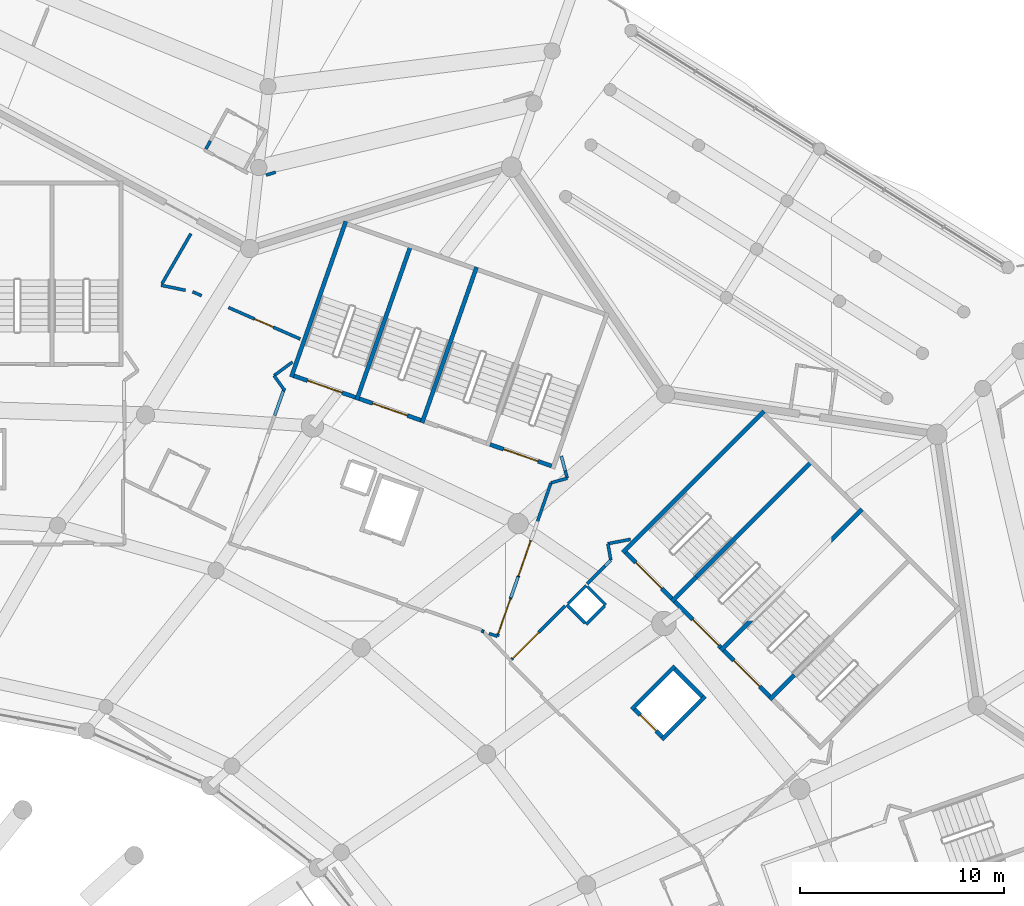
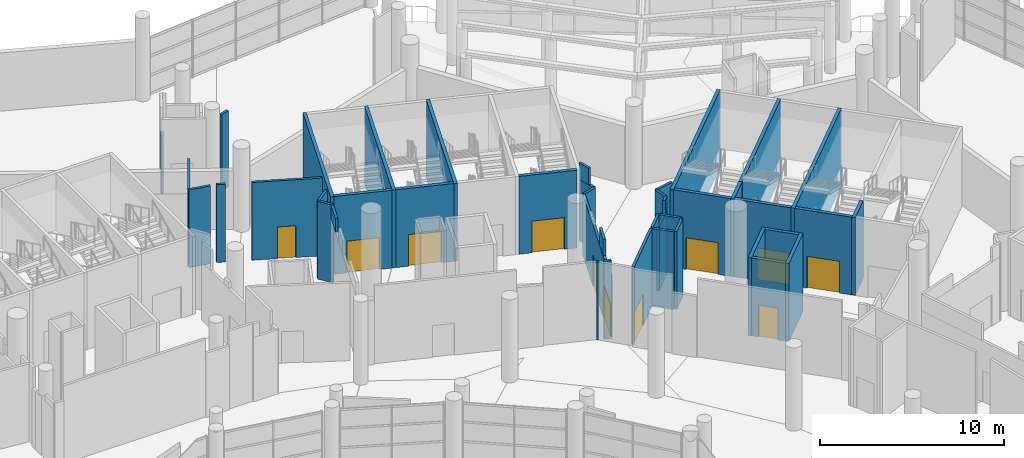
# One storey, part 198 of 271: 43 walls, 11 doors, 11 openings.
"""IFC4 building model written with IfcOpenShell, lengths in metres."""

from ifc_helpers import new_model, si_unit, direction, frame, frame_2d, origin, place, context, subcontext, project, spatial, rectangle, extrude, material, layer, layer_set, type_object, element, fill, save


model = new_model("IFC4")

# Units and contexts
model_context = context("Model", 3, precision=1e-05, world=origin(), true_north=direction((0.0, 1.0)))
body_context = subcontext(model_context, "Body", "Model", "MODEL_VIEW")
ifc_project = project(units=[si_unit("LENGTHUNIT", "METRE"), si_unit("AREAUNIT", "SQUARE_METRE"), si_unit("VOLUMEUNIT", "CUBIC_METRE"), si_unit("PLANEANGLEUNIT", "RADIAN"), si_unit("MASSUNIT", "GRAM", prefix="KILO")], contexts=[model_context])

# Site, building, storey
site_placement = place(None, origin())
site = spatial("IfcSite", under=ifc_project, at=site_placement, CompositionType="ELEMENT")
building_placement = place(site_placement, origin())
building = spatial("IfcBuilding", under=site, at=building_placement, Name="Meseta Stadium", CompositionType="ELEMENT")
storey_placement = place(building_placement, frame((0.0, 0.0, 6.5)))
storey = spatial("IfcBuildingStorey", under=building, at=storey_placement, Name="L01", CompositionType="ELEMENT", Elevation=6.5)

# Walls
ifc_material_1 = material(Name="Concrete C40/50", Category="concrete")
ifc_layer_1 = layer(ifc_material_1, 0.199951171875)
ifc_layer_set_1 = layer_set([ifc_layer_1], Name="Core divider wall 200")
wall_type_1 = type_object("IfcWallType", Name="Core divider wall 200", PredefinedType="SHEAR", material=ifc_layer_set_1)
wall_1_placement = place(storey_placement, frame((78.17333984375, 77.364990234375, 0.0), z_axis=(0.0, 0.0, 1.0), x_axis=(-0.707178586901, -0.707034968179, 0.0)))
element("IfcWall", 1, at=wall_1_placement, inside=storey, type_object=wall_type_1, Name="Core 07 L01 stair A divider wall", PredefinedType="SHEAR", context=body_context, shape_type="SweptSolid", body=[
    extrude(rectangle(XDim=1.699951171875, YDim=0.199951171875, at=frame_2d((0.85009765625, 0.0))), origin(), (0.0, 0.0, 1.0), 5.14990234375),
])
wall_2_placement = place(storey_placement, frame((79.092529296875, 87.90087890625, 0.0), z_axis=(0.0, 0.0, 1.0), x_axis=(-0.707106781187, -0.707106781187, 0.0)))
element("IfcWall", 2, at=wall_2_placement, inside=storey, type_object=wall_type_1, Name="Core 07 L01 stair B divider wall", PredefinedType="SHEAR", context=body_context, shape_type="SweptSolid", body=[
    extrude(rectangle(XDim=8.099853515625, YDim=0.199951171875, at=frame_2d((4.0498046875, 0.0))), origin(), (0.0, 0.0, 1.0), 5.14990234375),
])
wall_3_placement = place(storey_placement, frame((73.364990234375, 82.17333984375, 0.0), z_axis=(0.0, 0.0, 1.0), x_axis=(-0.707034968179, -0.707178586901, 0.0)))
element("IfcWall", 3, at=wall_3_placement, inside=storey, type_object=wall_type_1, Name="Core 07 L01 stair B divider wall", PredefinedType="SHEAR", context=body_context, shape_type="SweptSolid", body=[
    extrude(rectangle(XDim=1.699951171875, YDim=0.199951171875, at=frame_2d((0.85009765625, 0.0))), origin(), (0.0, 0.0, 1.0), 5.14990234375),
])
wall_4_placement = place(storey_placement, frame((59.370849609375, 98.505859375, 0.0), z_axis=(0.0, 0.0, 1.0), x_axis=(-0.330280610426, -0.943882788474, 0.0)))
element("IfcWall", 4, at=wall_4_placement, inside=storey, type_object=wall_type_1, Name="Core 08 L01 stair B divider wall", PredefinedType="SHEAR", context=body_context, shape_type="SweptSolid", body=[
    extrude(rectangle(XDim=8.10009765625, YDim=0.199951171875, at=frame_2d((4.050048828125, 0.0))), origin(), (0.0, 0.0, 1.0), 5.14990234375),
])
ifc_material_2 = material(Name="Concrete C40/50", Category="concrete")
ifc_layer_2 = layer(ifc_material_2, 0.199951171875)
ifc_layer_set_2 = layer_set([ifc_layer_2], Name="Core shaft wall 200")
wall_type_2 = type_object("IfcWallType", Name="Core shaft wall 200", PredefinedType="SHEAR", material=ifc_layer_set_2)
for number, where, z_axis, x_axis, name in (
    (5, (81.496826171875, 85.496826171875, 0.0), (0.0, 0.0, 1.0), (-0.707106781187, -0.707106781187, 0.0), "Core 07 L01 stair wall shared"),
    (6, (76.6884765625, 90.30517578125, 0.0), (0.0, 0.0, 1.0), (-0.707106781187, -0.707106781187, 0.0), "Core 07 L01 stair wall B-side"),
):
    element("IfcWall", number, at=place(storey_placement, frame(where, z_axis=z_axis, x_axis=x_axis)), inside=storey, type_object=wall_type_2, Name=name, PredefinedType="SHEAR", context=body_context, shape_type="SweptSolid", body=[
        extrude(rectangle(XDim=9.800048828125, YDim=0.199951171875, at=frame_2d((4.89990234375, 0.0))), origin(), (0.0, 0.0, 1.0), 5.14990234375),
    ])

# Wall, opening, door
wall_5_placement = place(storey_placement, frame((76.97119140625, 76.304443359375, 0.0), z_axis=(0.0, 0.0, 1.0), x_axis=(-0.707106781187, 0.707106781187, 0.0)))
wall_5 = element("IfcWall", 7, at=wall_5_placement, inside=storey, type_object=wall_type_2, Name="Core 07 L01 stair A2 inner end wall", PredefinedType="SHEAR", context=body_context, shape_type="SweptSolid", body=[
    extrude(rectangle(XDim=3.199951171875, YDim=0.199951171875, at=frame_2d((1.60009765625, 0.0))), origin(), (0.0, 0.0, 1.0), 5.14990234375),
])
opening_1_placement = place(wall_5_placement, frame((0.699951171875, 0.0, 0.0)))
opening_1 = element("IfcOpeningElement", 8, at=opening_1_placement, cuts=wall_5, Name="Opening D112", PredefinedType="OPENING", context=body_context, shape_type="SweptSolid", body=[
    extrude(rectangle(XDim=1.800048828125, YDim=2.10009765625, at=frame_2d((0.89990234375, 1.050048828125))), frame((0.0, 0.10986328125, 0.0), z_axis=(0.0, -1.0, 0.0), x_axis=(1.0, 0.0, 0.0)), (0.0, 0.0, 1.0), 0.219970703125),
])
ifc_material_3 = material(Name="Steel", Category="steel")
door_type_1 = type_object("IfcDoorType", Name="Stair door 1800x2100", OperationType="DOUBLE_DOOR_SINGLE_SWING", PredefinedType="DOOR", material=ifc_material_3)
door_1_placement = place(opening_1_placement, origin())
door_1 = element("IfcDoor", 9, at=door_1_placement, inside=storey, type_object=door_type_1, Name="Stair A2 door 07 L01", OperationType="DOUBLE_DOOR_SINGLE_SWING", OverallHeight=2.10009765625, OverallWidth=1.800048828125, PredefinedType="DOOR", context=body_context, shape_type="SweptSolid", body=[
    extrude(rectangle(XDim=1.800048828125, YDim=2.10009765625, at=frame_2d((0.89990234375, 1.050048828125))), frame((0.0, 0.02490234375, 0.0), z_axis=(0.0, -1.0, 0.0), x_axis=(1.0, 0.0, 0.0)), (0.0, 0.0, 1.0), 0.050048828125),
])
fill(opening_1, door_1)

wall_6_placement = place(storey_placement, frame((74.567138671875, 78.70849609375, 0.0), z_axis=(0.0, 0.0, 1.0), x_axis=(-0.707106781187, 0.707106781187, 0.0)))
wall_6 = element("IfcWall", 10, at=wall_6_placement, inside=storey, type_object=wall_type_2, Name="Core 07 L01 stair B1 inner end wall", PredefinedType="SHEAR", context=body_context, shape_type="SweptSolid", body=[
    extrude(rectangle(XDim=3.199951171875, YDim=0.199951171875, at=frame_2d((1.60009765625, 0.0))), origin(), (0.0, 0.0, 1.0), 5.14990234375),
])
opening_2_placement = place(wall_6_placement, frame((0.14990234375, 0.0, 0.0)))
opening_2 = element("IfcOpeningElement", 11, at=opening_2_placement, cuts=wall_6, Name="Opening D113", PredefinedType="OPENING", context=body_context, shape_type="SweptSolid", body=[
    extrude(rectangle(XDim=1.800048828125, YDim=2.10009765625, at=frame_2d((0.89990234375, 1.050048828125))), frame((0.0, 0.10986328125, 0.0), z_axis=(0.0, -1.0, 0.0), x_axis=(1.0, 0.0, 0.0)), (0.0, 0.0, 1.0), 0.219970703125),
])
door_2_placement = place(opening_2_placement, origin())
door_2 = element("IfcDoor", 12, at=door_2_placement, inside=storey, type_object=door_type_1, Name="Stair B1 door 07 L01", OperationType="DOUBLE_DOOR_SINGLE_SWING", OverallHeight=2.10009765625, OverallWidth=1.800048828125, PredefinedType="DOOR", context=body_context, shape_type="SweptSolid", body=[
    extrude(rectangle(XDim=1.800048828125, YDim=2.10009765625, at=frame_2d((0.89990234375, 1.050048828125))), frame((0.0, 0.02490234375, 0.0), z_axis=(0.0, -1.0, 0.0), x_axis=(1.0, 0.0, 0.0)), (0.0, 0.0, 1.0), 0.050048828125),
])
fill(opening_2, door_2)

wall_7_placement = place(storey_placement, frame((72.1630859375, 81.11279296875, 0.0), z_axis=(0.0, 0.0, 1.0), x_axis=(-0.707144925854, 0.707068634461, 0.0)))
wall_7 = element("IfcWall", 13, at=wall_7_placement, inside=storey, type_object=wall_type_2, Name="Core 07 L01 stair B2 inner end wall", PredefinedType="SHEAR", context=body_context, shape_type="SweptSolid", body=[
    extrude(rectangle(XDim=3.2001953125, YDim=0.199951171875, at=frame_2d((1.60009765625, 0.0))), origin(), (0.0, 0.0, 1.0), 5.14990234375),
])
opening_3_placement = place(wall_7_placement, frame((0.699951171875, 0.0, 0.0)))
opening_3 = element("IfcOpeningElement", 14, at=opening_3_placement, cuts=wall_7, Name="Opening D114", PredefinedType="OPENING", context=body_context, shape_type="SweptSolid", body=[
    extrude(rectangle(XDim=1.800048828125, YDim=2.10009765625, at=frame_2d((0.89990234375, 1.050048828125))), frame((0.0, 0.10986328125, 0.0), z_axis=(0.0, -1.0, 0.0), x_axis=(1.0, 0.0, 0.0)), (0.0, 0.0, 1.0), 0.219970703125),
])
door_3_placement = place(opening_3_placement, origin())
door_3 = element("IfcDoor", 15, at=door_3_placement, inside=storey, type_object=door_type_1, Name="Stair B2 door 07 L01", OperationType="DOUBLE_DOOR_SINGLE_SWING", OverallHeight=2.10009765625, OverallWidth=1.800048828125, PredefinedType="DOOR", context=body_context, shape_type="SweptSolid", body=[
    extrude(rectangle(XDim=1.800048828125, YDim=2.10009765625, at=frame_2d((0.89990234375, 1.050048828125))), frame((0.0, 0.02490234375, 0.0), z_axis=(0.0, -1.0, 0.0), x_axis=(1.0, 0.0, 0.0)), (0.0, 0.0, 1.0), 0.050048828125),
])
fill(opening_3, door_3)

# Walls
for number, where, z_axis, x_axis, name in (
    (16, (73.796875, 76.311767578125, 0.0), (0.0, 0.0, 1.0), (-0.707106781187, -0.707106781187, 0.0), "Core 07 L01 lift shaft wall left"),
    (17, (72.311767578125, 77.796875, 0.0), (0.0, 0.0, 1.0), (-0.707106781187, -0.707106781187, 0.0), "Core 07 L01 lift shaft wall right"),
):
    element("IfcWall", number, at=place(storey_placement, frame(where, z_axis=z_axis, x_axis=x_axis)), inside=storey, type_object=wall_type_2, Name=name, PredefinedType="SHEAR", context=body_context, shape_type="SweptSolid", body=[
        extrude(rectangle(XDim=3.0, YDim=0.199951171875, at=frame_2d((1.5, 0.0))), origin(), (0.0, 0.0, 1.0), 5.14990234375),
    ])
wall_8_placement = place(storey_placement, frame((73.655517578125, 76.311767578125, 0.0), z_axis=(0.0, 0.0, 1.0), x_axis=(-0.707106781187, 0.707106781187, 0.0)))
element("IfcWall", 18, at=wall_8_placement, inside=storey, type_object=wall_type_2, Name="Core 07 L01 lift shaft back wall", PredefinedType="SHEAR", context=body_context, shape_type="SweptSolid", body=[
    extrude(rectangle(XDim=1.900390625, YDim=0.199951171875, at=frame_2d((0.9501953125, 0.0))), origin(), (0.0, 0.0, 1.0), 5.14990234375),
])

# Wall, opening, door
wall_9_placement = place(storey_placement, frame((71.675537109375, 74.331787109375, 0.0), z_axis=(0.0, 0.0, 1.0), x_axis=(-0.707106781187, 0.707106781187, 0.0)))
wall_9 = element("IfcWall", 19, at=wall_9_placement, inside=storey, type_object=wall_type_2, Name="Core 07 L01 lift shaft front wall", PredefinedType="SHEAR", context=body_context, shape_type="SweptSolid", body=[
    extrude(rectangle(XDim=1.900390625, YDim=0.199951171875, at=frame_2d((0.9501953125, 0.0))), origin(), (0.0, 0.0, 1.0), 5.14990234375),
])
opening_4_placement = place(wall_9_placement, frame((0.39990234375, 0.0, 0.0)))
opening_4 = element("IfcOpeningElement", 20, at=opening_4_placement, cuts=wall_9, Name="Opening LD39", PredefinedType="OPENING", context=body_context, shape_type="SweptSolid", body=[
    extrude(rectangle(XDim=1.10009765625, YDim=2.10009765625, at=frame_2d((0.550048828125, 1.050048828125))), frame((0.0, 0.10986328125, 0.0), z_axis=(0.0, -1.0, 0.0), x_axis=(1.0, 0.0, 0.0)), (0.0, 0.0, 1.0), 0.219970703125),
])
ifc_material_4 = material(Name="Steel", Category="steel")
door_type_2 = type_object("IfcDoorType", Name="Lift landing door 1100x2100", OperationType="SLIDING_TO_LEFT", PredefinedType="DOOR", material=ifc_material_4)
door_4_placement = place(opening_4_placement, origin())
door_4 = element("IfcDoor", 21, at=door_4_placement, inside=storey, type_object=door_type_2, Name="Lift landing door LD39", OperationType="SLIDING_TO_LEFT", OverallHeight=2.10009765625, OverallWidth=1.10009765625, PredefinedType="DOOR", context=body_context, shape_type="SweptSolid", body=[
    extrude(rectangle(XDim=1.10009765625, YDim=2.10009765625, at=frame_2d((0.550048828125, 1.050048828125))), frame((0.0, 0.02490234375, 0.0), z_axis=(0.0, -1.0, 0.0), x_axis=(1.0, 0.0, 0.0)), (0.0, 0.0, 1.0), 0.050048828125),
])
fill(opening_4, door_4)

# Walls
wall_10_placement = place(storey_placement, frame((62.580078125, 97.3828125, 0.0), z_axis=(0.0, 0.0, 1.0), x_axis=(-0.330290006891, -0.943879500438, 0.0)))
element("IfcWall", 22, at=wall_10_placement, inside=storey, type_object=wall_type_2, Name="Core 08 L01 stair wall shared", PredefinedType="SHEAR", context=body_context, shape_type="SweptSolid", body=[
    extrude(rectangle(XDim=8.099853515625, YDim=0.199951171875, at=frame_2d((4.0498046875, 0.0))), origin(), (0.0, 0.0, 1.0), 5.14990234375),
])
wall_11_placement = place(storey_placement, frame((56.16162109375, 99.62890625, 0.0), z_axis=(0.0, 0.0, 1.0), x_axis=(-0.330280610426, -0.943882788474, 0.0)))
element("IfcWall", 23, at=wall_11_placement, inside=storey, type_object=wall_type_2, Name="Core 08 L01 stair wall B-side", PredefinedType="SHEAR", context=body_context, shape_type="SweptSolid", body=[
    extrude(rectangle(XDim=8.10009765625, YDim=0.199951171875, at=frame_2d((4.050048828125, 0.0))), origin(), (0.0, 0.0, 1.0), 5.14990234375),
])

# Wall, opening, door
wall_12_placement = place(storey_placement, frame((66.26171875, 87.618896484375, 0.0), z_axis=(0.0, 0.0, 1.0), x_axis=(-0.943878576031, 0.330292648585, 0.0)))
wall_12 = element("IfcWall", 24, at=wall_12_placement, inside=storey, type_object=wall_type_2, Name="Core 08 L01 stair A1 inner end wall", PredefinedType="SHEAR", context=body_context, shape_type="SweptSolid", body=[
    extrude(rectangle(XDim=3.199951171875, YDim=0.199951171875, at=frame_2d((1.60009765625, 0.0))), origin(), (0.0, 0.0, 1.0), 5.14990234375),
])
opening_5_placement = place(wall_12_placement, frame((0.699951171875, 0.0, 0.0)))
opening_5 = element("IfcOpeningElement", 25, at=opening_5_placement, cuts=wall_12, Name="Opening D123", PredefinedType="OPENING", context=body_context, shape_type="SweptSolid", body=[
    extrude(rectangle(XDim=1.800048828125, YDim=2.10009765625, at=frame_2d((0.89990234375, 1.050048828125))), frame((0.0, 0.10986328125, 0.0), z_axis=(0.0, -1.0, 0.0), x_axis=(1.0, 0.0, 0.0)), (0.0, 0.0, 1.0), 0.219970703125),
])
door_5_placement = place(opening_5_placement, origin())
door_5 = element("IfcDoor", 26, at=door_5_placement, inside=storey, type_object=door_type_1, Name="Stair A1 door 08 L01", OperationType="DOUBLE_DOOR_SINGLE_SWING", OverallHeight=2.10009765625, OverallWidth=1.800048828125, PredefinedType="DOOR", context=body_context, shape_type="SweptSolid", body=[
    extrude(rectangle(XDim=1.800048828125, YDim=2.10009765625, at=frame_2d((0.89990234375, 1.050048828125))), frame((0.0, 0.02490234375, 0.0), z_axis=(0.0, -1.0, 0.0), x_axis=(1.0, 0.0, 0.0)), (0.0, 0.0, 1.0), 0.050048828125),
])
fill(opening_5, door_5)

wall_13_placement = place(storey_placement, frame((59.843505859375, 89.864990234375, 0.0), z_axis=(0.0, 0.0, 1.0), x_axis=(-0.943886898693, 0.330268863922, 0.0)))
wall_13 = element("IfcWall", 27, at=wall_13_placement, inside=storey, type_object=wall_type_2, Name="Core 08 L01 stair B1 inner end wall", PredefinedType="SHEAR", context=body_context, shape_type="SweptSolid", body=[
    extrude(rectangle(XDim=3.2001953125, YDim=0.199951171875, at=frame_2d((1.60009765625, 0.0))), origin(), (0.0, 0.0, 1.0), 5.14990234375),
])
opening_6_placement = place(wall_13_placement, frame((0.699951171875, 0.0, 0.0)))
opening_6 = element("IfcOpeningElement", 28, at=opening_6_placement, cuts=wall_13, Name="Opening D125", PredefinedType="OPENING", context=body_context, shape_type="SweptSolid", body=[
    extrude(rectangle(XDim=1.800048828125, YDim=2.10009765625, at=frame_2d((0.89990234375, 1.050048828125))), frame((0.0, 0.10986328125, 0.0), z_axis=(0.0, -1.0, 0.0), x_axis=(1.0, 0.0, 0.0)), (0.0, 0.0, 1.0), 0.219970703125),
])
door_6_placement = place(opening_6_placement, origin())
door_6 = element("IfcDoor", 29, at=door_6_placement, inside=storey, type_object=door_type_1, Name="Stair B1 door 08 L01", OperationType="DOUBLE_DOOR_SINGLE_SWING", OverallHeight=2.10009765625, OverallWidth=1.800048828125, PredefinedType="DOOR", context=body_context, shape_type="SweptSolid", body=[
    extrude(rectangle(XDim=1.800048828125, YDim=2.10009765625, at=frame_2d((0.89990234375, 1.050048828125))), frame((0.0, 0.02490234375, 0.0), z_axis=(0.0, -1.0, 0.0), x_axis=(1.0, 0.0, 0.0)), (0.0, 0.0, 1.0), 0.050048828125),
])
fill(opening_6, door_6)

wall_14_placement = place(storey_placement, frame((56.63427734375, 90.98779296875, 0.0), z_axis=(0.0, 0.0, 1.0), x_axis=(-0.943886898693, 0.330268863922, 0.0)))
wall_14 = element("IfcWall", 30, at=wall_14_placement, inside=storey, type_object=wall_type_2, Name="Core 08 L01 stair B2 inner end wall", PredefinedType="SHEAR", context=body_context, shape_type="SweptSolid", body=[
    extrude(rectangle(XDim=3.2001953125, YDim=0.199951171875, at=frame_2d((1.60009765625, 0.0))), origin(), (0.0, 0.0, 1.0), 5.14990234375),
])
opening_7_placement = place(wall_14_placement, frame((0.699951171875, 0.0, 0.0)))
opening_7 = element("IfcOpeningElement", 31, at=opening_7_placement, cuts=wall_14, Name="Opening D126", PredefinedType="OPENING", context=body_context, shape_type="SweptSolid", body=[
    extrude(rectangle(XDim=1.800048828125, YDim=2.10009765625, at=frame_2d((0.89990234375, 1.050048828125))), frame((0.0, 0.10986328125, 0.0), z_axis=(0.0, -1.0, 0.0), x_axis=(1.0, 0.0, 0.0)), (0.0, 0.0, 1.0), 0.219970703125),
])
door_7_placement = place(opening_7_placement, origin())
door_7 = element("IfcDoor", 32, at=door_7_placement, inside=storey, type_object=door_type_1, Name="Stair B2 door 08 L01", OperationType="DOUBLE_DOOR_SINGLE_SWING", OverallHeight=2.10009765625, OverallWidth=1.800048828125, PredefinedType="DOOR", context=body_context, shape_type="SweptSolid", body=[
    extrude(rectangle(XDim=1.800048828125, YDim=2.10009765625, at=frame_2d((0.89990234375, 1.050048828125))), frame((0.0, 0.02490234375, 0.0), z_axis=(0.0, -1.0, 0.0), x_axis=(1.0, 0.0, 0.0)), (0.0, 0.0, 1.0), 0.050048828125),
])
fill(opening_7, door_7)

ifc_material_5 = material(Name="Masonry blockwork", Category="masonry")
ifc_layer_3 = layer(ifc_material_5, 0.14990234375)
ifc_layer_set_3 = layer_set([ifc_layer_3], Name="Partition 150")
wall_type_3 = type_object("IfcWallType", Name="Partition 150", PredefinedType="PARTITIONING", material=ifc_layer_set_3)
wall_15_placement = place(storey_placement, frame((53.927490234375, 93.849853515625, 0.0), z_axis=(0.0, 0.0, 1.0), x_axis=(-0.915527241614, 0.402255975546, 0.0)))
wall_15 = element("IfcWall", 33, at=wall_15_placement, inside=storey, type_object=wall_type_3, Name="Partition L01 L01-cell07-2-0w", PredefinedType="PARTITIONING", context=body_context, shape_type="SweptSolid", body=[
    extrude(rectangle(XDim=3.8486328125, YDim=0.14990234375, at=frame_2d((1.92431640625, 0.0))), origin(), (0.0, 0.0, 1.0), 5.14990234375),
])
opening_8_placement = place(wall_15_placement, frame((1.449951171875, 0.0, 0.0)))
opening_8 = element("IfcOpeningElement", 34, at=opening_8_placement, cuts=wall_15, Name="Opening D649", PredefinedType="OPENING", context=body_context, shape_type="SweptSolid", body=[
    extrude(rectangle(XDim=1.0, YDim=2.10009765625, at=frame_2d((0.5, 1.050048828125))), frame((0.0, 0.0849609375, 0.0), z_axis=(0.0, -1.0, 0.0), x_axis=(1.0, 0.0, 0.0)), (0.0, 0.0, 1.0), 0.169921875),
])
ifc_material_6 = material(Name="Timber", Category="wood")
door_type_3 = type_object("IfcDoorType", Name="Room door 1000x2100", OperationType="NOTDEFINED", PredefinedType="DOOR", material=ifc_material_6)
door_8_placement = place(opening_8_placement, origin())
door_8 = element("IfcDoor", 35, at=door_8_placement, inside=storey, type_object=door_type_3, Name="Door D649", OperationType="SINGLE_SWING_LEFT", OverallHeight=2.10009765625, OverallWidth=1.0, PredefinedType="DOOR", context=body_context, shape_type="SweptSolid", body=[
    extrude(rectangle(XDim=1.0, YDim=2.10009765625, at=frame_2d((0.5, 1.050048828125))), frame((0.0, 0.02490234375, 0.0), z_axis=(0.0, -1.0, 0.0), x_axis=(1.0, 0.0, 0.0)), (0.0, 0.0, 1.0), 0.050048828125),
])
fill(opening_8, door_8)

# Walls
wall_16_placement = place(storey_placement, frame((49.082763671875, 95.978515625, 0.0), z_axis=(0.0, 0.0, 1.0), x_axis=(-0.915644030191, 0.401990062035, 0.0)))
element("IfcWall", 36, at=wall_16_placement, inside=storey, type_object=wall_type_3, Name="Partition L01 L01-cell07-2-0w", PredefinedType="PARTITIONING", context=body_context, shape_type="SweptSolid", body=[
    extrude(rectangle(XDim=0.48095703125, YDim=0.14990234375, at=frame_2d((0.240478515625, 0.0))), origin(), (0.0, 0.0, 1.0), 5.14990234375),
])
wall_17_placement = place(storey_placement, frame((48.29150390625, 96.244140625, 0.0), z_axis=(0.0, 0.0, 1.0), x_axis=(-0.979490670734, 0.2014895182, 0.0)))
element("IfcWall", 37, at=wall_17_placement, inside=storey, type_object=wall_type_3, Name="Partition L01 L01-cell07-2-0w", PredefinedType="PARTITIONING", context=body_context, shape_type="SweptSolid", body=[
    extrude(rectangle(XDim=1.22265625, YDim=0.14990234375, at=frame_2d((0.611328125, 0.0))), origin(), (0.0, 0.0, 1.0), 5.14990234375),
])
wall_18_placement = place(storey_placement, frame((47.133544921875, 96.55908203125, 0.0), z_axis=(0.0, 0.0, 1.0), x_axis=(0.500497920682, 0.865737738228, 0.0)))
element("IfcWall", 38, at=wall_18_placement, inside=storey, type_object=wall_type_3, Name="Partition L01 L01-cell07-2-0w", PredefinedType="PARTITIONING", context=body_context, shape_type="SweptSolid", body=[
    extrude(rectangle(XDim=2.8427734375, YDim=0.14990234375, at=frame_2d((1.42138671875, 0.0))), origin(), (0.0, 0.0, 1.0), 5.14990234375),
])
wall_19_placement = place(storey_placement, frame((52.713623046875, 102.041015625, 0.0), z_axis=(0.0, 0.0, 1.0), x_axis=(-0.954976336525, -0.296681979025, 0.0)))
element("IfcWall", 39, at=wall_19_placement, inside=storey, type_object=wall_type_3, Name="Partition L01 L01-ring07-0", PredefinedType="PARTITIONING", context=body_context, shape_type="SweptSolid", body=[
    extrude(rectangle(XDim=0.48876953125, YDim=0.14990234375, at=frame_2d((0.244384765625, 0.0))), origin(), (0.0, 0.0, 1.0), 5.050048828125),
])
for number, where, z_axis, x_axis, name in (
    (40, (68.917724609375, 80.802001953125, 0.0), (0.0, 0.0, 1.0), (-0.707106781187, 0.707106781187, 0.0), "Pressurisation shaft wall L01 core 07"),
    (41, (67.963134765625, 81.756591796875, 0.0), (0.0, 0.0, 1.0), (-0.707106781187, -0.707106781187, 0.0), "Pressurisation shaft wall L01 core 07"),
    (42, (67.008544921875, 80.802001953125, 0.0), (0.0, 0.0, 1.0), (0.707106781187, -0.707106781187, 0.0), "Pressurisation shaft wall L01 core 07"),
):
    element("IfcWall", number, at=place(storey_placement, frame(where, z_axis=z_axis, x_axis=x_axis)), inside=storey, type_object=wall_type_3, Name=name, PredefinedType="PARTITIONING", context=body_context, shape_type="SweptSolid", body=[
        extrude(rectangle(XDim=1.275146484375, YDim=0.14990234375, at=frame_2d((0.6376953125, 0.0))), origin(), (0.0, 0.0, 1.0), 5.14990234375),
    ])
wall_20_placement = place(storey_placement, frame((67.963134765625, 79.847412109375, 0.0), z_axis=(0.0, 0.0, 1.0), x_axis=(0.707202523759, 0.707011025648, 0.0)))
element("IfcWall", 43, at=wall_20_placement, inside=storey, type_object=wall_type_3, Name="Pressurisation shaft wall L01 core 07", PredefinedType="PARTITIONING", context=body_context, shape_type="SweptSolid", body=[
    extrude(rectangle(XDim=1.27490234375, YDim=0.14990234375, at=frame_2d((0.637451171875, 0.0))), origin(), (0.0, 0.0, 1.0), 5.14990234375),
])
wall_21_placement = place(storey_placement, frame((70.133544921875, 84.018310546875, 0.0), z_axis=(0.0, 0.0, 1.0), x_axis=(-0.982266484486, -0.187490142289, 0.0)))
element("IfcWall", 44, at=wall_21_placement, inside=storey, type_object=wall_type_3, Name="Stair vestibule wall L01 core 07", PredefinedType="PARTITIONING", context=body_context, shape_type="SweptSolid", body=[
    extrude(rectangle(XDim=1.127685546875, YDim=0.14990234375, at=frame_2d((0.56396484375, 0.0))), origin(), (0.0, 0.0, 1.0), 5.14990234375),
])
wall_22_placement = place(storey_placement, frame((69.02587890625, 83.806884765625, 0.0), z_axis=(0.0, 0.0, 1.0), x_axis=(0.171316329805, -0.985216075357, 0.0)))
element("IfcWall", 45, at=wall_22_placement, inside=storey, type_object=wall_type_3, Name="Stair vestibule wall L01 core 07", PredefinedType="PARTITIONING", context=body_context, shape_type="SweptSolid", body=[
    extrude(rectangle(XDim=0.829345703125, YDim=0.14990234375, at=frame_2d((0.41455078125, 0.0))), origin(), (0.0, 0.0, 1.0), 5.14990234375),
])
wall_23_placement = place(storey_placement, frame((69.16796875, 82.98974609375, 0.0), z_axis=(0.0, 0.0, 1.0), x_axis=(-0.707106781187, -0.707106781187, 0.0)))
element("IfcWall", 46, at=wall_23_placement, inside=storey, type_object=wall_type_3, Name="Stair vestibule wall L01 core 07", PredefinedType="PARTITIONING", context=body_context, shape_type="SweptSolid", body=[
    extrude(rectangle(XDim=1.64306640625, YDim=0.14990234375, at=frame_2d((0.821533203125, 0.0))), origin(), (0.0, 0.0, 1.0), 4.25),
])
wall_24_placement = place(storey_placement, frame((69.16796875, 82.98974609375, 4.25), z_axis=(0.0, 0.0, 1.0), x_axis=(-0.706809490168, -0.707403947267, 0.0)))
element("IfcWall", 47, at=wall_24_placement, inside=storey, type_object=wall_type_3, Name="Stair vestibule wall L01 core 07", PredefinedType="PARTITIONING", context=body_context, shape_type="SweptSolid", body=[
    extrude(rectangle(XDim=0.41064453125, YDim=0.14990234375, at=frame_2d((0.205322265625, 0.0))), origin(), (0.0, 0.0, 1.0), 0.89990234375),
])

# Wall, opening, door
wall_25_placement = place(storey_placement, frame((66.934326171875, 80.756103515625, 0.0), z_axis=(0.0, 0.0, 1.0), x_axis=(-0.707073957383, -0.707139603466, 0.0)))
wall_25 = element("IfcWall", 48, at=wall_25_placement, inside=storey, type_object=wall_type_3, Name="Stair vestibule wall L01 core 07", PredefinedType="PARTITIONING", context=body_context, shape_type="SweptSolid", body=[
    extrude(rectangle(XDim=3.718994140625, YDim=0.14990234375, at=frame_2d((1.859375, 0.0))), origin(), (0.0, 0.0, 1.0), 5.14990234375),
])
opening_9_placement = place(wall_25_placement, frame((1.85009765625, 0.0, 0.0)))
opening_9 = element("IfcOpeningElement", 49, at=opening_9_placement, cuts=wall_25, Name="Opening D763", PredefinedType="OPENING", context=body_context, shape_type="SweptSolid", body=[
    extrude(rectangle(XDim=1.800048828125, YDim=2.10009765625, at=frame_2d((0.89990234375, 1.050048828125))), frame((0.0, 0.0849609375, 0.0), z_axis=(0.0, -1.0, 0.0), x_axis=(1.0, 0.0, 0.0)), (0.0, 0.0, 1.0), 0.169921875),
])
ifc_material_7 = material(Name="Steel", Category="steel")
door_type_4 = type_object("IfcDoorType", Name="Fire double door 1800x2100 EI2 60", OperationType="DOUBLE_DOOR_SINGLE_SWING", PredefinedType="DOOR", material=ifc_material_7)
door_9_placement = place(opening_9_placement, origin())
door_9 = element("IfcDoor", 50, at=door_9_placement, inside=storey, type_object=door_type_4, Name="Stair vestibule door L01 core 07", OperationType="DOUBLE_DOOR_SINGLE_SWING", OverallHeight=2.10009765625, OverallWidth=1.800048828125, PredefinedType="DOOR", context=body_context, shape_type="SweptSolid", body=[
    extrude(rectangle(XDim=1.800048828125, YDim=2.10009765625, at=frame_2d((0.89990234375, 1.050048828125))), frame((0.0, 0.02490234375, 0.0), z_axis=(0.0, -1.0, 0.0), x_axis=(1.0, 0.0, 0.0)), (0.0, 0.0, 1.0), 0.050048828125),
])
fill(opening_9, door_9)

# Walls
wall_26_placement = place(storey_placement, frame((53.147705078125, 91.4541015625, 4.25), z_axis=(0.0, 0.0, 1.0), x_axis=(-0.333919937106, -0.942601440484, 0.0)))
element("IfcWall", 51, at=wall_26_placement, inside=storey, type_object=wall_type_3, Name="Stair vestibule wall L01 core 08", PredefinedType="PARTITIONING", context=body_context, shape_type="SweptSolid", body=[
    extrude(rectangle(XDim=1.427978515625, YDim=0.14990234375, at=frame_2d((0.7138671875, 0.0))), origin(), (0.0, 0.0, 1.0), 0.89990234375),
])
wall_27_placement = place(storey_placement, frame((62.8310546875, 79.526123046875, 0.0), z_axis=(0.0, 0.0, 1.0), x_axis=(0.944168192904, -0.329463842489, 0.0)))
element("IfcWall", 52, at=wall_27_placement, inside=storey, type_object=wall_type_3, Name="Stair vestibule wall L01 core 08", PredefinedType="PARTITIONING", context=body_context, shape_type="SweptSolid", body=[
    extrude(rectangle(XDim=0.1103515625, YDim=0.14990234375, at=frame_2d((0.05517578125, 0.0))), origin(), (0.0, 0.0, 1.0), 5.14990234375),
])
wall_28_placement = place(storey_placement, frame((63.1953125, 79.398681640625, 0.0), z_axis=(0.0, 0.0, 1.0), x_axis=(0.9439211129, -0.330171065694, 0.0)))
element("IfcWall", 53, at=wall_28_placement, inside=storey, type_object=wall_type_3, Name="Stair vestibule wall L01 core 08", PredefinedType="PARTITIONING", context=body_context, shape_type="SweptSolid", body=[
    extrude(rectangle(XDim=0.42431640625, YDim=0.14990234375, at=frame_2d((0.212158203125, 0.0))), origin(), (0.0, 0.0, 1.0), 5.14990234375),
])

# Wall, openings, doors
wall_29_placement = place(storey_placement, frame((63.595947265625, 79.258544921875, 0.0), z_axis=(0.0, 0.0, 1.0), x_axis=(0.330252316135, 0.94389268865, 0.0)))
wall_29 = element("IfcWall", 54, at=wall_29_placement, inside=storey, type_object=wall_type_3, Name="Stair vestibule wall L01 core 08", PredefinedType="PARTITIONING", context=body_context, shape_type="SweptSolid", body=[
    extrude(rectangle(XDim=7.98095703125, YDim=0.14990234375, at=frame_2d((3.990478515625, 0.0))), origin(), (0.0, 0.0, 1.0), 4.050048828125),
])
opening_10_placement = place(wall_29_placement, frame((0.14990234375, 0.0, 0.0)))
opening_10 = element("IfcOpeningElement", 55, at=opening_10_placement, cuts=wall_29, Name="Opening D765", PredefinedType="OPENING", context=body_context, shape_type="SweptSolid", body=[
    extrude(rectangle(XDim=1.800048828125, YDim=2.10009765625, at=frame_2d((0.89990234375, 1.050048828125))), frame((0.0, 0.0849609375, 0.0), z_axis=(0.0, -1.0, 0.0), x_axis=(1.0, 0.0, 0.0)), (0.0, 0.0, 1.0), 0.169921875),
])
opening_11_placement = place(wall_29_placement, frame((3.14990234375, 0.0, 0.0)))
opening_11 = element("IfcOpeningElement", 56, at=opening_11_placement, cuts=wall_29, Name="Opening D766", PredefinedType="OPENING", context=body_context, shape_type="SweptSolid", body=[
    extrude(rectangle(XDim=1.800048828125, YDim=2.10009765625, at=frame_2d((0.89990234375, 1.050048828125))), frame((0.0, 0.0849609375, 0.0), z_axis=(0.0, -1.0, 0.0), x_axis=(1.0, 0.0, 0.0)), (0.0, 0.0, 1.0), 0.169921875),
])
door_10_placement = place(opening_10_placement, origin())
door_10 = element("IfcDoor", 57, at=door_10_placement, inside=storey, type_object=door_type_4, Name="Stair vestibule door L01 core 08", OperationType="DOUBLE_DOOR_SINGLE_SWING", OverallHeight=2.10009765625, OverallWidth=1.800048828125, PredefinedType="DOOR", context=body_context, shape_type="SweptSolid", body=[
    extrude(rectangle(XDim=1.800048828125, YDim=2.10009765625, at=frame_2d((0.89990234375, 1.050048828125))), frame((0.0, 0.02490234375, 0.0), z_axis=(0.0, -1.0, 0.0), x_axis=(1.0, 0.0, 0.0)), (0.0, 0.0, 1.0), 0.050048828125),
])
fill(opening_10, door_10)
door_11_placement = place(opening_11_placement, origin())
door_11 = element("IfcDoor", 58, at=door_11_placement, inside=storey, type_object=door_type_4, Name="Stair vestibule door L01 core 08", OperationType="DOUBLE_DOOR_SINGLE_SWING", OverallHeight=2.10009765625, OverallWidth=1.800048828125, PredefinedType="DOOR", context=body_context, shape_type="SweptSolid", body=[
    extrude(rectangle(XDim=1.800048828125, YDim=2.10009765625, at=frame_2d((0.89990234375, 1.050048828125))), frame((0.0, 0.02490234375, 0.0), z_axis=(0.0, -1.0, 0.0), x_axis=(1.0, 0.0, 0.0)), (0.0, 0.0, 1.0), 0.050048828125),
])
fill(opening_11, door_11)

# Walls
wall_30_placement = place(storey_placement, frame((64.256591796875, 81.146484375, 4.050048828125), z_axis=(0.0, 0.0, 1.0), x_axis=(0.330310872881, 0.943872198582, 0.0)))
element("IfcWall", 59, at=wall_30_placement, inside=storey, type_object=wall_type_3, Name="Stair vestibule wall L01 core 08", PredefinedType="PARTITIONING", context=body_context, shape_type="SweptSolid", body=[
    extrude(rectangle(XDim=1.099853515625, YDim=0.14990234375, at=frame_2d((0.5498046875, 0.0))), origin(), (0.0, 0.0, 1.0), 1.099853515625),
])
wall_31_placement = place(storey_placement, frame((66.231689453125, 86.791748046875, 0.0), z_axis=(0.0, 0.0, 1.0), x_axis=(0.962010898997, 0.273011044119, 0.0)))
element("IfcWall", 60, at=wall_31_placement, inside=storey, type_object=wall_type_3, Name="Stair vestibule wall L01 core 08", PredefinedType="PARTITIONING", context=body_context, shape_type="SweptSolid", body=[
    extrude(rectangle(XDim=0.829833984375, YDim=0.14990234375, at=frame_2d((0.4150390625, 0.0))), origin(), (0.0, 0.0, 1.0), 4.050048828125),
])
wall_32_placement = place(storey_placement, frame((67.030029296875, 87.018310546875, 0.0), z_axis=(0.0, 0.0, 1.0), x_axis=(-0.257379704982, 0.966310347385, 0.0)))
element("IfcWall", 61, at=wall_32_placement, inside=storey, type_object=wall_type_3, Name="Stair vestibule wall L01 core 08", PredefinedType="PARTITIONING", context=body_context, shape_type="SweptSolid", body=[
    extrude(rectangle(XDim=1.1279296875, YDim=0.14990234375, at=frame_2d((0.56396484375, 0.0))), origin(), (0.0, 0.0, 1.0), 4.050048828125),
])
wall_33_placement = place(storey_placement, frame((66.93310546875, 87.381591796875, 4.050048828125), z_axis=(0.0, 0.0, 1.0), x_axis=(-0.257177560454, 0.966364166554, 0.0)))
element("IfcWall", 62, at=wall_33_placement, inside=storey, type_object=wall_type_3, Name="Stair vestibule wall L01 core 08", PredefinedType="PARTITIONING", context=body_context, shape_type="SweptSolid", body=[
    extrude(rectangle(XDim=0.751953125, YDim=0.14990234375, at=frame_2d((0.3759765625, 0.0))), origin(), (0.0, 0.0, 1.0), 1.099853515625),
])
wall_34_placement = place(storey_placement, frame((53.544921875, 92.725341796875, 0.0), z_axis=(0.0, 0.0, 1.0), x_axis=(-0.803622385738, -0.595139530817, 0.0)))
element("IfcWall", 63, at=wall_34_placement, inside=storey, type_object=wall_type_3, Name="Stair vestibule wall L01 core 08", PredefinedType="PARTITIONING", context=body_context, shape_type="SweptSolid", body=[
    extrude(rectangle(XDim=1.127685546875, YDim=0.14990234375, at=frame_2d((0.56396484375, 0.0))), origin(), (0.0, 0.0, 1.0), 5.14990234375),
])
wall_35_placement = place(storey_placement, frame((52.638671875, 92.05419921875, 0.0), z_axis=(0.0, 0.0, 1.0), x_axis=(0.581746441208, -0.813370197476, 0.0)))
element("IfcWall", 64, at=wall_35_placement, inside=storey, type_object=wall_type_3, Name="Stair vestibule wall L01 core 08", PredefinedType="PARTITIONING", context=body_context, shape_type="SweptSolid", body=[
    extrude(rectangle(XDim=0.90869140625, YDim=0.14990234375, at=frame_2d((0.454345703125, 0.0))), origin(), (0.0, 0.0, 1.0), 5.14990234375),
])
wall_36_placement = place(storey_placement, frame((49.299072265625, 103.180908203125, 0.0), z_axis=(0.0, 0.0, 1.0), x_axis=(0.476684913063, 0.879074225341, 0.0)))
element("IfcWall", 65, at=wall_36_placement, inside=storey, type_object=wall_type_3, Name="Partition L01 L01-ring07-0 vestibule", PredefinedType="PARTITIONING", context=body_context, shape_type="SweptSolid", body=[
    extrude(rectangle(XDim=0.4501953125, YDim=0.14990234375, at=frame_2d((0.22509765625, 0.0))), origin(), (0.0, 0.0, 1.0), 3.85009765625),
])

save(model, "model.ifc")
